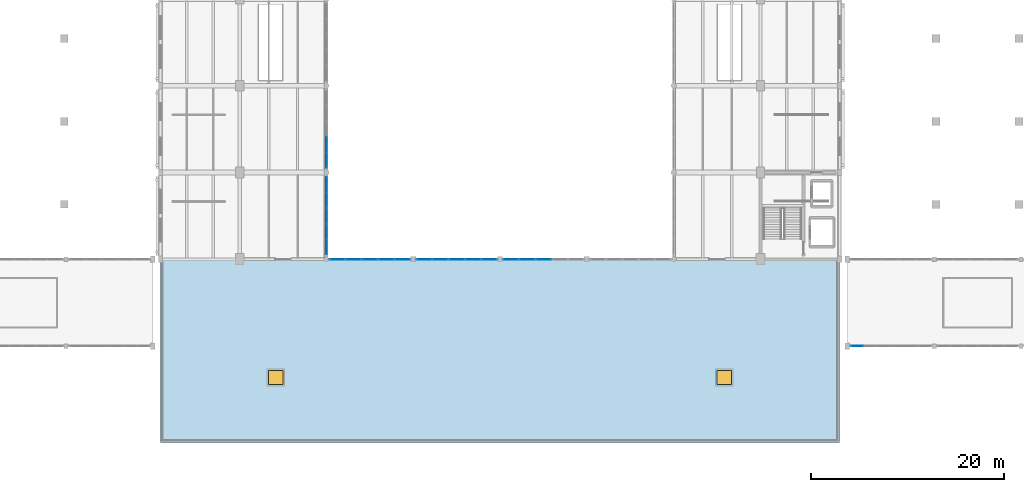
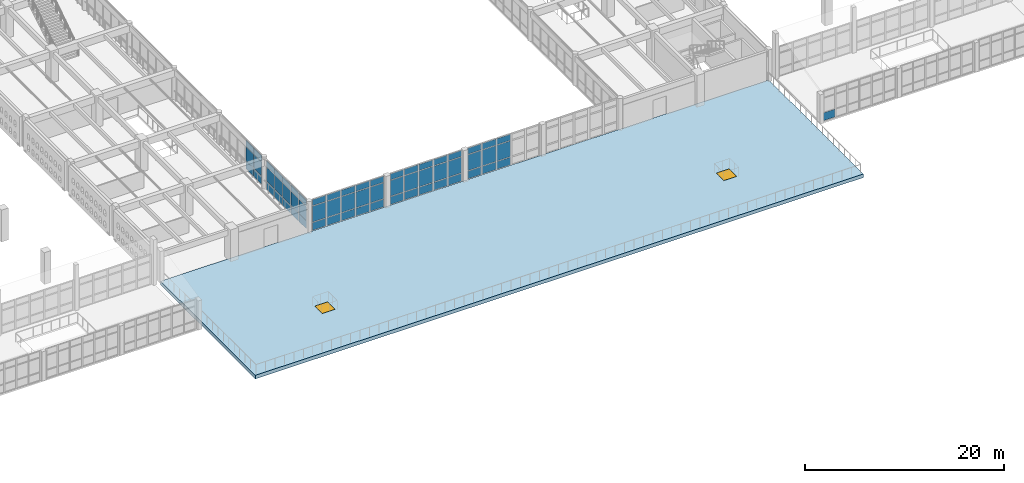
# One storey, part 109 of 156: 61 plates, 2 windows, 1 slab, 2 openings, 6 elements without a shape of their own.
"""IFC4 building model written with IfcOpenShell, lengths in metres."""

from ifc_helpers import new_model, si_unit, direction, frame, origin, origin_2d, place, context, subcontext, project, spatial, polyline, rectangle, outline, extrude, material, layer, layer_set, type_object, element, fill, aggregate, save


model = new_model("IFC4")

# Units and contexts
model_context = context("Model", 3, precision=1e-05, world=origin(), true_north=direction((0.0, 1.0)))
body_context = subcontext(model_context, "Body", "Model", "MODEL_VIEW")
ifc_project = project(units=[si_unit("LENGTHUNIT", "METRE"), si_unit("AREAUNIT", "SQUARE_METRE"), si_unit("VOLUMEUNIT", "CUBIC_METRE"), si_unit("PLANEANGLEUNIT", "RADIAN"), si_unit("MASSUNIT", "GRAM", prefix="KILO")], contexts=[model_context])

# Site, building, storey
site_placement = place(None, origin())
site = spatial("IfcSite", under=ifc_project, at=site_placement, CompositionType="ELEMENT")
building_placement = place(site_placement, origin())
building = spatial("IfcBuilding", under=site, at=building_placement, Name="Ornek Quay Market", CompositionType="ELEMENT")
storey_placement = place(building_placement, frame((0.0, 0.0, 4.5)))
storey = spatial("IfcBuildingStorey", under=building, at=storey_placement, Name="L01", CompositionType="ELEMENT", Elevation=4.5)

# Curtain wall, plates
ifc_material_1 = material(Name="Anodised bronze aluminium and triple low-e glass", Category="aluminium")
ifc_layer_1 = layer(ifc_material_1, 0.139892578125, Name="Anodised bronze aluminium and triple low-e glass", Category="aluminium")
ifc_layer_set_1 = layer_set([ifc_layer_1], Name="Anodised bronze aluminium and triple low-e glass")
curtain_wall_type_1 = type_object("IfcCurtainWallType", Name="CW-GALLERY-INT", PredefinedType="USERDEFINED", material=ifc_layer_set_1)
curtain_wall_1_placement = place(storey_placement, origin())
curtain_wall_1 = element("IfcCurtainWall", 1, at=curtain_wall_1_placement, inside=storey, type_object=curtain_wall_type_1, Name="Curtain wall CW-097", ObjectType="CURTAIN WALL", PredefinedType="USERDEFINED")
ifc_material_2 = material(Name="Toughened laminated acoustic glass", Category="glass")
ifc_layer_2 = layer(ifc_material_2, 0.01611328125, Name="Toughened laminated acoustic glass", Category="glass")
ifc_layer_set_2 = layer_set([ifc_layer_2], Name="Toughened laminated acoustic glass")
plate_type_1 = type_object("IfcPlateType", Name="PL-CW-INT-16", PredefinedType="CURTAIN_PANEL", material=ifc_layer_set_2)
plate_1_placement = place(storey_placement, frame((72.0, 30.27490234375, 0.06005859375), z_axis=(0.0, 0.0, 1.0), x_axis=(0.0, 1.0, 0.0)))
plate_1 = element("IfcPlate", 2, at=plate_1_placement, type_object=plate_type_1, Name="CW-097 panel 1.1", PredefinedType="CURTAIN_PANEL", context=body_context, shape_type="SweptSolid", body=[
    extrude(rectangle(XDim=1.530029296875, YDim=0.01611328125, at=origin_2d()), origin(), (0.0, 0.0, 1.0), 0.9599609375),
])
plate_2_placement = place(storey_placement, frame((72.0, 30.27490234375, 1.080078125), z_axis=(0.0, 0.0, 1.0), x_axis=(0.0, 1.0, 0.0)))
plate_2 = element("IfcPlate", 3, at=plate_2_placement, type_object=plate_type_1, Name="CW-097 panel 1.2", PredefinedType="CURTAIN_PANEL", context=body_context, shape_type="SweptSolid", body=[
    extrude(rectangle(XDim=1.530029296875, YDim=0.01611328125, at=origin_2d()), origin(), (0.0, 0.0, 1.0), 1.699951171875),
])
plate_3_placement = place(storey_placement, frame((72.0, 30.27490234375, 2.83984375), z_axis=(0.0, 0.0, 1.0), x_axis=(0.0, 1.0, 0.0)))
plate_3 = element("IfcPlate", 4, at=plate_3_placement, type_object=plate_type_1, Name="CW-097 panel 1.3", PredefinedType="CURTAIN_PANEL", context=body_context, shape_type="SweptSolid", body=[
    extrude(rectangle(XDim=1.530029296875, YDim=0.01611328125, at=origin_2d()), origin(), (0.0, 0.0, 1.0), 0.760009765625),
])
plate_4_placement = place(storey_placement, frame((72.0, 31.8798828125, 0.06005859375), z_axis=(0.0, 0.0, 1.0), x_axis=(0.0, 1.0, 0.0)))
plate_4 = element("IfcPlate", 5, at=plate_4_placement, type_object=plate_type_1, Name="CW-097 panel 2.1", PredefinedType="CURTAIN_PANEL", context=body_context, shape_type="SweptSolid", body=[
    extrude(rectangle(XDim=1.56005859375, YDim=0.01611328125, at=origin_2d()), origin(), (0.0, 0.0, 1.0), 0.9599609375),
])
plate_5_placement = place(storey_placement, frame((72.0, 31.8798828125, 1.080078125), z_axis=(0.0, 0.0, 1.0), x_axis=(0.0, 1.0, 0.0)))
plate_5 = element("IfcPlate", 6, at=plate_5_placement, type_object=plate_type_1, Name="CW-097 panel 2.2", PredefinedType="CURTAIN_PANEL", context=body_context, shape_type="SweptSolid", body=[
    extrude(rectangle(XDim=1.56005859375, YDim=0.01611328125, at=origin_2d()), origin(), (0.0, 0.0, 1.0), 1.699951171875),
])
plate_6_placement = place(storey_placement, frame((72.0, 31.8798828125, 2.83984375), z_axis=(0.0, 0.0, 1.0), x_axis=(0.0, 1.0, 0.0)))
plate_6 = element("IfcPlate", 7, at=plate_6_placement, type_object=plate_type_1, Name="CW-097 panel 2.3", PredefinedType="CURTAIN_PANEL", context=body_context, shape_type="SweptSolid", body=[
    extrude(rectangle(XDim=1.56005859375, YDim=0.01611328125, at=origin_2d()), origin(), (0.0, 0.0, 1.0), 0.760009765625),
])
plate_7_placement = place(storey_placement, frame((72.0, 33.5, 0.06005859375), z_axis=(0.0, 0.0, 1.0), x_axis=(0.0, 1.0, 0.0)))
plate_7 = element("IfcPlate", 8, at=plate_7_placement, type_object=plate_type_1, Name="CW-097 panel 3.1", PredefinedType="CURTAIN_PANEL", context=body_context, shape_type="SweptSolid", body=[
    extrude(rectangle(XDim=1.56005859375, YDim=0.01611328125, at=origin_2d()), origin(), (0.0, 0.0, 1.0), 0.9599609375),
])
plate_8_placement = place(storey_placement, frame((72.0, 33.5, 1.080078125), z_axis=(0.0, 0.0, 1.0), x_axis=(0.0, 1.0, 0.0)))
plate_8 = element("IfcPlate", 9, at=plate_8_placement, type_object=plate_type_1, Name="CW-097 panel 3.2", PredefinedType="CURTAIN_PANEL", context=body_context, shape_type="SweptSolid", body=[
    extrude(rectangle(XDim=1.56005859375, YDim=0.01611328125, at=origin_2d()), origin(), (0.0, 0.0, 1.0), 1.699951171875),
])
plate_9_placement = place(storey_placement, frame((72.0, 33.5, 2.83984375), z_axis=(0.0, 0.0, 1.0), x_axis=(0.0, 1.0, 0.0)))
plate_9 = element("IfcPlate", 10, at=plate_9_placement, type_object=plate_type_1, Name="CW-097 panel 3.3", PredefinedType="CURTAIN_PANEL", context=body_context, shape_type="SweptSolid", body=[
    extrude(rectangle(XDim=1.56005859375, YDim=0.01611328125, at=origin_2d()), origin(), (0.0, 0.0, 1.0), 0.760009765625),
])
plate_10_placement = place(storey_placement, frame((72.0, 35.1201171875, 0.06005859375), z_axis=(0.0, 0.0, 1.0), x_axis=(0.0, 1.0, 0.0)))
plate_10 = element("IfcPlate", 11, at=plate_10_placement, type_object=plate_type_1, Name="CW-097 panel 4.1", PredefinedType="CURTAIN_PANEL", context=body_context, shape_type="SweptSolid", body=[
    extrude(rectangle(XDim=1.56005859375, YDim=0.01611328125, at=origin_2d()), origin(), (0.0, 0.0, 1.0), 0.9599609375),
])
plate_11_placement = place(storey_placement, frame((72.0, 35.1201171875, 1.080078125), z_axis=(0.0, 0.0, 1.0), x_axis=(0.0, 1.0, 0.0)))
plate_11 = element("IfcPlate", 12, at=plate_11_placement, type_object=plate_type_1, Name="CW-097 panel 4.2", PredefinedType="CURTAIN_PANEL", context=body_context, shape_type="SweptSolid", body=[
    extrude(rectangle(XDim=1.56005859375, YDim=0.01611328125, at=origin_2d()), origin(), (0.0, 0.0, 1.0), 1.699951171875),
])
plate_12_placement = place(storey_placement, frame((72.0, 35.1201171875, 2.83984375), z_axis=(0.0, 0.0, 1.0), x_axis=(0.0, 1.0, 0.0)))
plate_12 = element("IfcPlate", 13, at=plate_12_placement, type_object=plate_type_1, Name="CW-097 panel 4.3", PredefinedType="CURTAIN_PANEL", context=body_context, shape_type="SweptSolid", body=[
    extrude(rectangle(XDim=1.56005859375, YDim=0.01611328125, at=origin_2d()), origin(), (0.0, 0.0, 1.0), 0.760009765625),
])
plate_13_placement = place(storey_placement, frame((72.0, 36.72509765625, 0.06005859375), z_axis=(0.0, 0.0, 1.0), x_axis=(0.0, 1.0, 0.0)))
plate_13 = element("IfcPlate", 14, at=plate_13_placement, type_object=plate_type_1, Name="CW-097 panel 5.1", PredefinedType="CURTAIN_PANEL", context=body_context, shape_type="SweptSolid", body=[
    extrude(rectangle(XDim=1.530029296875, YDim=0.01611328125, at=origin_2d()), origin(), (0.0, 0.0, 1.0), 0.9599609375),
])
plate_14_placement = place(storey_placement, frame((72.0, 36.72509765625, 1.080078125), z_axis=(0.0, 0.0, 1.0), x_axis=(0.0, 1.0, 0.0)))
plate_14 = element("IfcPlate", 15, at=plate_14_placement, type_object=plate_type_1, Name="CW-097 panel 5.2", PredefinedType="CURTAIN_PANEL", context=body_context, shape_type="SweptSolid", body=[
    extrude(rectangle(XDim=1.530029296875, YDim=0.01611328125, at=origin_2d()), origin(), (0.0, 0.0, 1.0), 1.699951171875),
])
plate_15_placement = place(storey_placement, frame((72.0, 36.72509765625, 2.83984375), z_axis=(0.0, 0.0, 1.0), x_axis=(0.0, 1.0, 0.0)))
plate_15 = element("IfcPlate", 16, at=plate_15_placement, type_object=plate_type_1, Name="CW-097 panel 5.3", PredefinedType="CURTAIN_PANEL", context=body_context, shape_type="SweptSolid", body=[
    extrude(rectangle(XDim=1.530029296875, YDim=0.01611328125, at=origin_2d()), origin(), (0.0, 0.0, 1.0), 0.760009765625),
])
aggregate(curtain_wall_1, [plate_1, plate_2, plate_3, plate_4, plate_5, plate_6, plate_7, plate_8, plate_9, plate_10, plate_11, plate_12, plate_13, plate_14, plate_15])

curtain_wall_2_placement = place(storey_placement, origin())
curtain_wall_2 = element("IfcCurtainWall", 17, at=curtain_wall_2_placement, inside=storey, type_object=curtain_wall_type_1, Name="Curtain wall CW-098", ObjectType="CURTAIN WALL", PredefinedType="USERDEFINED")
plate_16_placement = place(storey_placement, frame((72.0, 39.27490234375, 0.06005859375), z_axis=(0.0, 0.0, 1.0), x_axis=(0.0, 1.0, 0.0)))
plate_16 = element("IfcPlate", 18, at=plate_16_placement, type_object=plate_type_1, Name="CW-098 panel 1.1", PredefinedType="CURTAIN_PANEL", context=body_context, shape_type="SweptSolid", body=[
    extrude(rectangle(XDim=1.530029296875, YDim=0.01611328125, at=origin_2d()), origin(), (0.0, 0.0, 1.0), 0.9599609375),
])
plate_17_placement = place(storey_placement, frame((72.0, 39.27490234375, 1.080078125), z_axis=(0.0, 0.0, 1.0), x_axis=(0.0, 1.0, 0.0)))
plate_17 = element("IfcPlate", 19, at=plate_17_placement, type_object=plate_type_1, Name="CW-098 panel 1.2", PredefinedType="CURTAIN_PANEL", context=body_context, shape_type="SweptSolid", body=[
    extrude(rectangle(XDim=1.530029296875, YDim=0.01611328125, at=origin_2d()), origin(), (0.0, 0.0, 1.0), 1.699951171875),
])
plate_18_placement = place(storey_placement, frame((72.0, 39.27490234375, 2.83984375), z_axis=(0.0, 0.0, 1.0), x_axis=(0.0, 1.0, 0.0)))
plate_18 = element("IfcPlate", 20, at=plate_18_placement, type_object=plate_type_1, Name="CW-098 panel 1.3", PredefinedType="CURTAIN_PANEL", context=body_context, shape_type="SweptSolid", body=[
    extrude(rectangle(XDim=1.530029296875, YDim=0.01611328125, at=origin_2d()), origin(), (0.0, 0.0, 1.0), 0.760009765625),
])
plate_19_placement = place(storey_placement, frame((72.0, 40.8798828125, 0.06005859375), z_axis=(0.0, 0.0, 1.0), x_axis=(0.0, 1.0, 0.0)))
plate_19 = element("IfcPlate", 21, at=plate_19_placement, type_object=plate_type_1, Name="CW-098 panel 2.1", PredefinedType="CURTAIN_PANEL", context=body_context, shape_type="SweptSolid", body=[
    extrude(rectangle(XDim=1.56005859375, YDim=0.01611328125, at=origin_2d()), origin(), (0.0, 0.0, 1.0), 0.9599609375),
])
plate_20_placement = place(storey_placement, frame((72.0, 40.8798828125, 1.080078125), z_axis=(0.0, 0.0, 1.0), x_axis=(0.0, 1.0, 0.0)))
plate_20 = element("IfcPlate", 22, at=plate_20_placement, type_object=plate_type_1, Name="CW-098 panel 2.2", PredefinedType="CURTAIN_PANEL", context=body_context, shape_type="SweptSolid", body=[
    extrude(rectangle(XDim=1.56005859375, YDim=0.01611328125, at=origin_2d()), origin(), (0.0, 0.0, 1.0), 1.699951171875),
])
plate_21_placement = place(storey_placement, frame((72.0, 40.8798828125, 2.83984375), z_axis=(0.0, 0.0, 1.0), x_axis=(0.0, 1.0, 0.0)))
plate_21 = element("IfcPlate", 23, at=plate_21_placement, type_object=plate_type_1, Name="CW-098 panel 2.3", PredefinedType="CURTAIN_PANEL", context=body_context, shape_type="SweptSolid", body=[
    extrude(rectangle(XDim=1.56005859375, YDim=0.01611328125, at=origin_2d()), origin(), (0.0, 0.0, 1.0), 0.760009765625),
])
aggregate(curtain_wall_2, [plate_16, plate_17, plate_18, plate_19, plate_20, plate_21])

# Curtain wall, plate
ifc_layer_3 = layer(ifc_material_1, 0.179931640625, Name="Anodised bronze aluminium and triple low-e glass", Category="aluminium")
ifc_layer_set_3 = layer_set([ifc_layer_3], Name="Anodised bronze aluminium and triple low-e glass")
curtain_wall_type_2 = type_object("IfcCurtainWallType", Name="CW-CONC-MOD1500", PredefinedType="USERDEFINED", material=ifc_layer_set_3)
curtain_wall_3_placement = place(storey_placement, origin())
curtain_wall_3 = element("IfcCurtainWall", 24, at=curtain_wall_3_placement, inside=storey, type_object=curtain_wall_type_2, Name="Curtain wall CW-036", ObjectType="CURTAIN WALL", PredefinedType="USERDEFINED")
ifc_material_3 = material(Name="Triple insulated low-e glass", Category="glass")
ifc_layer_4 = layer(ifc_material_3, 0.035888671875, Name="Triple insulated low-e glass", Category="glass")
ifc_layer_set_4 = layer_set([ifc_layer_4], Name="Triple insulated low-e glass")
plate_type_2 = type_object("IfcPlateType", Name="PL-CW-TRIPLE-36", PredefinedType="CURTAIN_PANEL", material=ifc_layer_set_4)
plate_22_placement = place(storey_placement, frame((127.014892578125, 20.0, 0.06005859375), z_axis=(0.0, 0.0, 1.0), x_axis=(1.0, 0.0, 0.0)))
plate_22 = element("IfcPlate", 25, at=plate_22_placement, type_object=plate_type_2, Name="CW-036 panel 1.1", PredefinedType="CURTAIN_PANEL", context=body_context, shape_type="SweptSolid", body=[
    extrude(rectangle(XDim=1.31005859375, YDim=0.035888671875, at=origin_2d()), origin(), (0.0, 0.0, 1.0), 0.9599609375),
])
aggregate(curtain_wall_3, [plate_22])

# Curtain wall, plates
ifc_layer_5 = layer(ifc_material_1, 0.239990234375, Name="Anodised bronze aluminium and triple low-e glass", Category="aluminium")
ifc_layer_set_5 = layer_set([ifc_layer_5], Name="Anodised bronze aluminium and triple low-e glass")
curtain_wall_type_3 = type_object("IfcCurtainWallType", Name="CW-GAB-MOD1800", PredefinedType="USERDEFINED", material=ifc_layer_set_5)
curtain_wall_4_placement = place(storey_placement, origin())
curtain_wall_4 = element("IfcCurtainWall", 26, at=curtain_wall_4_placement, inside=storey, type_object=curtain_wall_type_3, Name="Curtain wall CW-065", ObjectType="CURTAIN WALL", PredefinedType="USERDEFINED")
ifc_layer_6 = layer(ifc_material_3, 0.0419921875, Name="Triple insulated low-e glass", Category="glass")
ifc_layer_set_6 = layer_set([ifc_layer_6], Name="Triple insulated low-e glass")
plate_type_3 = type_object("IfcPlateType", Name="PL-CW-TRIPLE-42", PredefinedType="CURTAIN_PANEL", material=ifc_layer_set_6)
plate_23_placement = place(storey_placement, frame((73.14404296875, 29.0, 0.074951171875), z_axis=(0.0, 0.0, 1.0), x_axis=(1.0, 0.0, 0.0)))
plate_23 = element("IfcPlate", 27, at=plate_23_placement, type_object=plate_type_3, Name="CW-065 panel 1.1", PredefinedType="CURTAIN_PANEL", context=body_context, shape_type="SweptSolid", body=[
    extrude(rectangle(XDim=1.568115234375, YDim=0.0419921875, at=origin_2d()), origin(), (0.0, 0.0, 1.0), 0.9375),
])
plate_24_placement = place(storey_placement, frame((73.14404296875, 29.0, 1.08740234375), z_axis=(0.0, 0.0, 1.0), x_axis=(1.0, 0.0, 0.0)))
plate_24 = element("IfcPlate", 28, at=plate_24_placement, type_object=plate_type_3, Name="CW-065 panel 1.2", PredefinedType="CURTAIN_PANEL", context=body_context, shape_type="SweptSolid", body=[
    extrude(rectangle(XDim=1.568115234375, YDim=0.0419921875, at=origin_2d()), origin(), (0.0, 0.0, 1.0), 1.925048828125),
])
plate_25_placement = place(storey_placement, frame((73.14404296875, 29.0, 3.08740234375), z_axis=(0.0, 0.0, 1.0), x_axis=(1.0, 0.0, 0.0)))
plate_25 = element("IfcPlate", 29, at=plate_25_placement, type_object=plate_type_3, Name="CW-065 panel 1.3", PredefinedType="CURTAIN_PANEL", context=body_context, shape_type="SweptSolid", body=[
    extrude(rectangle(XDim=1.568115234375, YDim=0.0419921875, at=origin_2d()), origin(), (0.0, 0.0, 1.0), 0.737548828125),
])
plate_26_placement = place(storey_placement, frame((74.81201171875, 29.0, 0.074951171875), z_axis=(0.0, 0.0, 1.0), x_axis=(1.0, 0.0, 0.0)))
plate_26 = element("IfcPlate", 30, at=plate_26_placement, type_object=plate_type_3, Name="CW-065 panel 2.1", PredefinedType="CURTAIN_PANEL", context=body_context, shape_type="SweptSolid", body=[
    extrude(rectangle(XDim=1.60791015625, YDim=0.0419921875, at=origin_2d()), origin(), (0.0, 0.0, 1.0), 0.9375),
])
plate_27_placement = place(storey_placement, frame((74.81201171875, 29.0, 1.08740234375), z_axis=(0.0, 0.0, 1.0), x_axis=(1.0, 0.0, 0.0)))
plate_27 = element("IfcPlate", 31, at=plate_27_placement, type_object=plate_type_3, Name="CW-065 panel 2.2", PredefinedType="CURTAIN_PANEL", context=body_context, shape_type="SweptSolid", body=[
    extrude(rectangle(XDim=1.60791015625, YDim=0.0419921875, at=origin_2d()), origin(), (0.0, 0.0, 1.0), 1.925048828125),
])
plate_28_placement = place(storey_placement, frame((74.81201171875, 29.0, 3.08740234375), z_axis=(0.0, 0.0, 1.0), x_axis=(1.0, 0.0, 0.0)))
plate_28 = element("IfcPlate", 32, at=plate_28_placement, type_object=plate_type_3, Name="CW-065 panel 2.3", PredefinedType="CURTAIN_PANEL", context=body_context, shape_type="SweptSolid", body=[
    extrude(rectangle(XDim=1.60791015625, YDim=0.0419921875, at=origin_2d()), origin(), (0.0, 0.0, 1.0), 0.737548828125),
])
plate_29_placement = place(storey_placement, frame((76.5, 29.0, 0.074951171875), z_axis=(0.0, 0.0, 1.0), x_axis=(1.0, 0.0, 0.0)))
plate_29 = element("IfcPlate", 33, at=plate_29_placement, type_object=plate_type_3, Name="CW-065 panel 3.1", PredefinedType="CURTAIN_PANEL", context=body_context, shape_type="SweptSolid", body=[
    extrude(rectangle(XDim=1.60791015625, YDim=0.0419921875, at=origin_2d()), origin(), (0.0, 0.0, 1.0), 0.9375),
])
plate_30_placement = place(storey_placement, frame((76.5, 29.0, 1.08740234375), z_axis=(0.0, 0.0, 1.0), x_axis=(1.0, 0.0, 0.0)))
plate_30 = element("IfcPlate", 34, at=plate_30_placement, type_object=plate_type_3, Name="CW-065 panel 3.2", PredefinedType="CURTAIN_PANEL", context=body_context, shape_type="SweptSolid", body=[
    extrude(rectangle(XDim=1.60791015625, YDim=0.0419921875, at=origin_2d()), origin(), (0.0, 0.0, 1.0), 1.925048828125),
])
plate_31_placement = place(storey_placement, frame((76.5, 29.0, 3.08740234375), z_axis=(0.0, 0.0, 1.0), x_axis=(1.0, 0.0, 0.0)))
plate_31 = element("IfcPlate", 35, at=plate_31_placement, type_object=plate_type_3, Name="CW-065 panel 3.3", PredefinedType="CURTAIN_PANEL", context=body_context, shape_type="SweptSolid", body=[
    extrude(rectangle(XDim=1.60791015625, YDim=0.0419921875, at=origin_2d()), origin(), (0.0, 0.0, 1.0), 0.737548828125),
])
plate_32_placement = place(storey_placement, frame((78.18798828125, 29.0, 0.074951171875), z_axis=(0.0, 0.0, 1.0), x_axis=(1.0, 0.0, 0.0)))
plate_32 = element("IfcPlate", 36, at=plate_32_placement, type_object=plate_type_3, Name="CW-065 panel 4.1", PredefinedType="CURTAIN_PANEL", context=body_context, shape_type="SweptSolid", body=[
    extrude(rectangle(XDim=1.60791015625, YDim=0.0419921875, at=origin_2d()), origin(), (0.0, 0.0, 1.0), 0.9375),
])
plate_33_placement = place(storey_placement, frame((78.18798828125, 29.0, 1.08740234375), z_axis=(0.0, 0.0, 1.0), x_axis=(1.0, 0.0, 0.0)))
plate_33 = element("IfcPlate", 37, at=plate_33_placement, type_object=plate_type_3, Name="CW-065 panel 4.2", PredefinedType="CURTAIN_PANEL", context=body_context, shape_type="SweptSolid", body=[
    extrude(rectangle(XDim=1.60791015625, YDim=0.0419921875, at=origin_2d()), origin(), (0.0, 0.0, 1.0), 1.925048828125),
])
plate_34_placement = place(storey_placement, frame((78.18798828125, 29.0, 3.08740234375), z_axis=(0.0, 0.0, 1.0), x_axis=(1.0, 0.0, 0.0)))
plate_34 = element("IfcPlate", 38, at=plate_34_placement, type_object=plate_type_3, Name="CW-065 panel 4.3", PredefinedType="CURTAIN_PANEL", context=body_context, shape_type="SweptSolid", body=[
    extrude(rectangle(XDim=1.60791015625, YDim=0.0419921875, at=origin_2d()), origin(), (0.0, 0.0, 1.0), 0.737548828125),
])
plate_35_placement = place(storey_placement, frame((79.85595703125, 29.0, 0.074951171875), z_axis=(0.0, 0.0, 1.0), x_axis=(1.0, 0.0, 0.0)))
plate_35 = element("IfcPlate", 39, at=plate_35_placement, type_object=plate_type_3, Name="CW-065 panel 5.1", PredefinedType="CURTAIN_PANEL", context=body_context, shape_type="SweptSolid", body=[
    extrude(rectangle(XDim=1.568115234375, YDim=0.0419921875, at=origin_2d()), origin(), (0.0, 0.0, 1.0), 0.9375),
])
plate_36_placement = place(storey_placement, frame((79.85595703125, 29.0, 1.08740234375), z_axis=(0.0, 0.0, 1.0), x_axis=(1.0, 0.0, 0.0)))
plate_36 = element("IfcPlate", 40, at=plate_36_placement, type_object=plate_type_3, Name="CW-065 panel 5.2", PredefinedType="CURTAIN_PANEL", context=body_context, shape_type="SweptSolid", body=[
    extrude(rectangle(XDim=1.568115234375, YDim=0.0419921875, at=origin_2d()), origin(), (0.0, 0.0, 1.0), 1.925048828125),
])
plate_37_placement = place(storey_placement, frame((79.85595703125, 29.0, 3.08740234375), z_axis=(0.0, 0.0, 1.0), x_axis=(1.0, 0.0, 0.0)))
plate_37 = element("IfcPlate", 41, at=plate_37_placement, type_object=plate_type_3, Name="CW-065 panel 5.3", PredefinedType="CURTAIN_PANEL", context=body_context, shape_type="SweptSolid", body=[
    extrude(rectangle(XDim=1.568115234375, YDim=0.0419921875, at=origin_2d()), origin(), (0.0, 0.0, 1.0), 0.737548828125),
])
aggregate(curtain_wall_4, [plate_23, plate_24, plate_25, plate_26, plate_27, plate_28, plate_29, plate_30, plate_31, plate_32, plate_33, plate_34, plate_35, plate_36, plate_37])

curtain_wall_5_placement = place(storey_placement, origin())
curtain_wall_5 = element("IfcCurtainWall", 42, at=curtain_wall_5_placement, inside=storey, type_object=curtain_wall_type_3, Name="Curtain wall CW-068", ObjectType="CURTAIN WALL", PredefinedType="USERDEFINED")
plate_38_placement = place(storey_placement, frame((82.14404296875, 29.0, 0.074951171875), z_axis=(0.0, 0.0, 1.0), x_axis=(1.0, 0.0, 0.0)))
plate_38 = element("IfcPlate", 43, at=plate_38_placement, type_object=plate_type_3, Name="CW-068 panel 1.1", PredefinedType="CURTAIN_PANEL", context=body_context, shape_type="SweptSolid", body=[
    extrude(rectangle(XDim=1.568115234375, YDim=0.0419921875, at=origin_2d()), origin(), (0.0, 0.0, 1.0), 0.9375),
])
plate_39_placement = place(storey_placement, frame((82.14404296875, 29.0, 1.08740234375), z_axis=(0.0, 0.0, 1.0), x_axis=(1.0, 0.0, 0.0)))
plate_39 = element("IfcPlate", 44, at=plate_39_placement, type_object=plate_type_3, Name="CW-068 panel 1.2", PredefinedType="CURTAIN_PANEL", context=body_context, shape_type="SweptSolid", body=[
    extrude(rectangle(XDim=1.568115234375, YDim=0.0419921875, at=origin_2d()), origin(), (0.0, 0.0, 1.0), 1.925048828125),
])
plate_40_placement = place(storey_placement, frame((82.14404296875, 29.0, 3.08740234375), z_axis=(0.0, 0.0, 1.0), x_axis=(1.0, 0.0, 0.0)))
plate_40 = element("IfcPlate", 45, at=plate_40_placement, type_object=plate_type_3, Name="CW-068 panel 1.3", PredefinedType="CURTAIN_PANEL", context=body_context, shape_type="SweptSolid", body=[
    extrude(rectangle(XDim=1.568115234375, YDim=0.0419921875, at=origin_2d()), origin(), (0.0, 0.0, 1.0), 0.737548828125),
])
plate_41_placement = place(storey_placement, frame((83.81201171875, 29.0, 0.074951171875), z_axis=(0.0, 0.0, 1.0), x_axis=(1.0, 0.0, 0.0)))
plate_41 = element("IfcPlate", 46, at=plate_41_placement, type_object=plate_type_3, Name="CW-068 panel 2.1", PredefinedType="CURTAIN_PANEL", context=body_context, shape_type="SweptSolid", body=[
    extrude(rectangle(XDim=1.60791015625, YDim=0.0419921875, at=origin_2d()), origin(), (0.0, 0.0, 1.0), 0.9375),
])
plate_42_placement = place(storey_placement, frame((83.81201171875, 29.0, 1.08740234375), z_axis=(0.0, 0.0, 1.0), x_axis=(1.0, 0.0, 0.0)))
plate_42 = element("IfcPlate", 47, at=plate_42_placement, type_object=plate_type_3, Name="CW-068 panel 2.2", PredefinedType="CURTAIN_PANEL", context=body_context, shape_type="SweptSolid", body=[
    extrude(rectangle(XDim=1.60791015625, YDim=0.0419921875, at=origin_2d()), origin(), (0.0, 0.0, 1.0), 1.925048828125),
])
plate_43_placement = place(storey_placement, frame((83.81201171875, 29.0, 3.08740234375), z_axis=(0.0, 0.0, 1.0), x_axis=(1.0, 0.0, 0.0)))
plate_43 = element("IfcPlate", 48, at=plate_43_placement, type_object=plate_type_3, Name="CW-068 panel 2.3", PredefinedType="CURTAIN_PANEL", context=body_context, shape_type="SweptSolid", body=[
    extrude(rectangle(XDim=1.60791015625, YDim=0.0419921875, at=origin_2d()), origin(), (0.0, 0.0, 1.0), 0.737548828125),
])
plate_44_placement = place(storey_placement, frame((85.5, 29.0, 0.074951171875), z_axis=(0.0, 0.0, 1.0), x_axis=(1.0, 0.0, 0.0)))
plate_44 = element("IfcPlate", 49, at=plate_44_placement, type_object=plate_type_3, Name="CW-068 panel 3.1", PredefinedType="CURTAIN_PANEL", context=body_context, shape_type="SweptSolid", body=[
    extrude(rectangle(XDim=1.60791015625, YDim=0.0419921875, at=origin_2d()), origin(), (0.0, 0.0, 1.0), 0.9375),
])
plate_45_placement = place(storey_placement, frame((85.5, 29.0, 1.08740234375), z_axis=(0.0, 0.0, 1.0), x_axis=(1.0, 0.0, 0.0)))
plate_45 = element("IfcPlate", 50, at=plate_45_placement, type_object=plate_type_3, Name="CW-068 panel 3.2", PredefinedType="CURTAIN_PANEL", context=body_context, shape_type="SweptSolid", body=[
    extrude(rectangle(XDim=1.60791015625, YDim=0.0419921875, at=origin_2d()), origin(), (0.0, 0.0, 1.0), 1.925048828125),
])
plate_46_placement = place(storey_placement, frame((85.5, 29.0, 3.08740234375), z_axis=(0.0, 0.0, 1.0), x_axis=(1.0, 0.0, 0.0)))
plate_46 = element("IfcPlate", 51, at=plate_46_placement, type_object=plate_type_3, Name="CW-068 panel 3.3", PredefinedType="CURTAIN_PANEL", context=body_context, shape_type="SweptSolid", body=[
    extrude(rectangle(XDim=1.60791015625, YDim=0.0419921875, at=origin_2d()), origin(), (0.0, 0.0, 1.0), 0.737548828125),
])
plate_47_placement = place(storey_placement, frame((87.18798828125, 29.0, 0.074951171875), z_axis=(0.0, 0.0, 1.0), x_axis=(1.0, 0.0, 0.0)))
plate_47 = element("IfcPlate", 52, at=plate_47_placement, type_object=plate_type_3, Name="CW-068 panel 4.1", PredefinedType="CURTAIN_PANEL", context=body_context, shape_type="SweptSolid", body=[
    extrude(rectangle(XDim=1.60791015625, YDim=0.0419921875, at=origin_2d()), origin(), (0.0, 0.0, 1.0), 0.9375),
])
plate_48_placement = place(storey_placement, frame((87.18798828125, 29.0, 1.08740234375), z_axis=(0.0, 0.0, 1.0), x_axis=(1.0, 0.0, 0.0)))
plate_48 = element("IfcPlate", 53, at=plate_48_placement, type_object=plate_type_3, Name="CW-068 panel 4.2", PredefinedType="CURTAIN_PANEL", context=body_context, shape_type="SweptSolid", body=[
    extrude(rectangle(XDim=1.60791015625, YDim=0.0419921875, at=origin_2d()), origin(), (0.0, 0.0, 1.0), 1.925048828125),
])
plate_49_placement = place(storey_placement, frame((87.18798828125, 29.0, 3.08740234375), z_axis=(0.0, 0.0, 1.0), x_axis=(1.0, 0.0, 0.0)))
plate_49 = element("IfcPlate", 54, at=plate_49_placement, type_object=plate_type_3, Name="CW-068 panel 4.3", PredefinedType="CURTAIN_PANEL", context=body_context, shape_type="SweptSolid", body=[
    extrude(rectangle(XDim=1.60791015625, YDim=0.0419921875, at=origin_2d()), origin(), (0.0, 0.0, 1.0), 0.737548828125),
])
plate_50_placement = place(storey_placement, frame((88.85595703125, 29.0, 0.074951171875), z_axis=(0.0, 0.0, 1.0), x_axis=(1.0, 0.0, 0.0)))
plate_50 = element("IfcPlate", 55, at=plate_50_placement, type_object=plate_type_3, Name="CW-068 panel 5.1", PredefinedType="CURTAIN_PANEL", context=body_context, shape_type="SweptSolid", body=[
    extrude(rectangle(XDim=1.568115234375, YDim=0.0419921875, at=origin_2d()), origin(), (0.0, 0.0, 1.0), 0.9375),
])
plate_51_placement = place(storey_placement, frame((88.85595703125, 29.0, 1.08740234375), z_axis=(0.0, 0.0, 1.0), x_axis=(1.0, 0.0, 0.0)))
plate_51 = element("IfcPlate", 56, at=plate_51_placement, type_object=plate_type_3, Name="CW-068 panel 5.2", PredefinedType="CURTAIN_PANEL", context=body_context, shape_type="SweptSolid", body=[
    extrude(rectangle(XDim=1.568115234375, YDim=0.0419921875, at=origin_2d()), origin(), (0.0, 0.0, 1.0), 1.925048828125),
])
plate_52_placement = place(storey_placement, frame((88.85595703125, 29.0, 3.08740234375), z_axis=(0.0, 0.0, 1.0), x_axis=(1.0, 0.0, 0.0)))
plate_52 = element("IfcPlate", 57, at=plate_52_placement, type_object=plate_type_3, Name="CW-068 panel 5.3", PredefinedType="CURTAIN_PANEL", context=body_context, shape_type="SweptSolid", body=[
    extrude(rectangle(XDim=1.568115234375, YDim=0.0419921875, at=origin_2d()), origin(), (0.0, 0.0, 1.0), 0.737548828125),
])
aggregate(curtain_wall_5, [plate_38, plate_39, plate_40, plate_41, plate_42, plate_43, plate_44, plate_45, plate_46, plate_47, plate_48, plate_49, plate_50, plate_51, plate_52])

curtain_wall_6_placement = place(storey_placement, origin())
curtain_wall_6 = element("IfcCurtainWall", 58, at=curtain_wall_6_placement, inside=storey, type_object=curtain_wall_type_3, Name="Curtain wall CW-071", ObjectType="CURTAIN WALL", PredefinedType="USERDEFINED")
plate_53_placement = place(storey_placement, frame((91.14404296875, 29.0, 0.074951171875), z_axis=(0.0, 0.0, 1.0), x_axis=(1.0, 0.0, 0.0)))
plate_53 = element("IfcPlate", 59, at=plate_53_placement, type_object=plate_type_3, Name="CW-071 panel 1.1", PredefinedType="CURTAIN_PANEL", context=body_context, shape_type="SweptSolid", body=[
    extrude(rectangle(XDim=1.568115234375, YDim=0.0419921875, at=origin_2d()), origin(), (0.0, 0.0, 1.0), 0.9375),
])
plate_54_placement = place(storey_placement, frame((91.14404296875, 29.0, 1.08740234375), z_axis=(0.0, 0.0, 1.0), x_axis=(1.0, 0.0, 0.0)))
plate_54 = element("IfcPlate", 60, at=plate_54_placement, type_object=plate_type_3, Name="CW-071 panel 1.2", PredefinedType="CURTAIN_PANEL", context=body_context, shape_type="SweptSolid", body=[
    extrude(rectangle(XDim=1.568115234375, YDim=0.0419921875, at=origin_2d()), origin(), (0.0, 0.0, 1.0), 1.925048828125),
])
plate_55_placement = place(storey_placement, frame((91.14404296875, 29.0, 3.08740234375), z_axis=(0.0, 0.0, 1.0), x_axis=(1.0, 0.0, 0.0)))
plate_55 = element("IfcPlate", 61, at=plate_55_placement, type_object=plate_type_3, Name="CW-071 panel 1.3", PredefinedType="CURTAIN_PANEL", context=body_context, shape_type="SweptSolid", body=[
    extrude(rectangle(XDim=1.568115234375, YDim=0.0419921875, at=origin_2d()), origin(), (0.0, 0.0, 1.0), 0.737548828125),
])
plate_56_placement = place(storey_placement, frame((92.81201171875, 29.0, 0.074951171875), z_axis=(0.0, 0.0, 1.0), x_axis=(1.0, 0.0, 0.0)))
plate_56 = element("IfcPlate", 62, at=plate_56_placement, type_object=plate_type_3, Name="CW-071 panel 2.1", PredefinedType="CURTAIN_PANEL", context=body_context, shape_type="SweptSolid", body=[
    extrude(rectangle(XDim=1.60791015625, YDim=0.0419921875, at=origin_2d()), origin(), (0.0, 0.0, 1.0), 0.9375),
])
plate_57_placement = place(storey_placement, frame((92.81201171875, 29.0, 1.08740234375), z_axis=(0.0, 0.0, 1.0), x_axis=(1.0, 0.0, 0.0)))
plate_57 = element("IfcPlate", 63, at=plate_57_placement, type_object=plate_type_3, Name="CW-071 panel 2.2", PredefinedType="CURTAIN_PANEL", context=body_context, shape_type="SweptSolid", body=[
    extrude(rectangle(XDim=1.60791015625, YDim=0.0419921875, at=origin_2d()), origin(), (0.0, 0.0, 1.0), 1.925048828125),
])
plate_58_placement = place(storey_placement, frame((92.81201171875, 29.0, 3.08740234375), z_axis=(0.0, 0.0, 1.0), x_axis=(1.0, 0.0, 0.0)))
plate_58 = element("IfcPlate", 64, at=plate_58_placement, type_object=plate_type_3, Name="CW-071 panel 2.3", PredefinedType="CURTAIN_PANEL", context=body_context, shape_type="SweptSolid", body=[
    extrude(rectangle(XDim=1.60791015625, YDim=0.0419921875, at=origin_2d()), origin(), (0.0, 0.0, 1.0), 0.737548828125),
])
plate_59_placement = place(storey_placement, frame((94.5, 29.0, 0.074951171875), z_axis=(0.0, 0.0, 1.0), x_axis=(1.0, 0.0, 0.0)))
plate_59 = element("IfcPlate", 65, at=plate_59_placement, type_object=plate_type_3, Name="CW-071 panel 3.1", PredefinedType="CURTAIN_PANEL", context=body_context, shape_type="SweptSolid", body=[
    extrude(rectangle(XDim=1.60791015625, YDim=0.0419921875, at=origin_2d()), origin(), (0.0, 0.0, 1.0), 0.9375),
])
plate_60_placement = place(storey_placement, frame((94.5, 29.0, 1.08740234375), z_axis=(0.0, 0.0, 1.0), x_axis=(1.0, 0.0, 0.0)))
plate_60 = element("IfcPlate", 66, at=plate_60_placement, type_object=plate_type_3, Name="CW-071 panel 3.2", PredefinedType="CURTAIN_PANEL", context=body_context, shape_type="SweptSolid", body=[
    extrude(rectangle(XDim=1.60791015625, YDim=0.0419921875, at=origin_2d()), origin(), (0.0, 0.0, 1.0), 1.925048828125),
])
plate_61_placement = place(storey_placement, frame((94.5, 29.0, 3.08740234375), z_axis=(0.0, 0.0, 1.0), x_axis=(1.0, 0.0, 0.0)))
plate_61 = element("IfcPlate", 67, at=plate_61_placement, type_object=plate_type_3, Name="CW-071 panel 3.3", PredefinedType="CURTAIN_PANEL", context=body_context, shape_type="SweptSolid", body=[
    extrude(rectangle(XDim=1.60791015625, YDim=0.0419921875, at=origin_2d()), origin(), (0.0, 0.0, 1.0), 0.737548828125),
])
aggregate(curtain_wall_6, [plate_53, plate_54, plate_55, plate_56, plate_57, plate_58, plate_59, plate_60, plate_61])

# Slab, openings, windows
ifc_material_4 = material(Name="Concrete C40/50", Category="concrete")
ifc_layer_7 = layer(ifc_material_4, 0.43994140625, Name="Concrete C40/50", Category="concrete")
ifc_layer_set_7 = layer_set([ifc_layer_7], Name="Concrete C40/50")
slab_type = type_object("IfcSlabType", Name="SL-GRD-YARD-440", PredefinedType="ROOF", material=ifc_layer_set_7)
slab_placement = place(storey_placement, frame((0.0, 0.0, -0.43994140625)))
slab = element("IfcSlab", 68, at=slab_placement, inside=storey, type_object=slab_type, Name="Slab S-031 (L01)", PredefinedType="ROOF", context=body_context, shape_type="SweptSolid", body=[
    extrude(outline(polyline([(54.800048828125, 10.0), (125.199951171875, 10.0), (125.199951171875, 29.0), (54.800048828125, 29.0), (54.800048828125, 10.0)]), holes=[polyline([(67.5, 17.5), (67.5, 16.0), (66.0, 16.0), (66.0, 17.5), (67.5, 17.5)]), polyline([(114.0, 17.5), (114.0, 16.0), (112.5, 16.0), (112.5, 17.5), (114.0, 17.5)])]), origin(), (0.0, 0.0, 1.0), 0.43994140625),
])
opening_1_placement = place(slab_placement, frame((66.75, 16.75, -0.010009765625)))
opening_1 = element("IfcOpeningElement", 69, at=opening_1_placement, cuts=slab, Name="Opening LDM-01-13", PredefinedType="OPENING", context=body_context, shape_type="SweptSolid", body=[
    extrude(rectangle(XDim=1.5, YDim=1.5, at=origin_2d()), origin(), (0.0, 0.0, 1.0), 0.4599609375),
])
opening_2_placement = place(slab_placement, frame((113.25, 16.75, -0.010009765625)))
opening_2 = element("IfcOpeningElement", 70, at=opening_2_placement, cuts=slab, Name="Opening LDM-01-14", PredefinedType="OPENING", context=body_context, shape_type="SweptSolid", body=[
    extrude(rectangle(XDim=1.5, YDim=1.5, at=origin_2d()), origin(), (0.0, 0.0, 1.0), 0.4599609375),
])
ifc_material_5 = material(Name="Thermally broken bronze aluminium and triple low-e glass", Category="aluminium")
window_type = type_object("IfcWindowType", Name="WN-DOME-1500x1500", PartitioningType="SINGLE_PANEL", PredefinedType="LIGHTDOME", material=ifc_material_5)
window_1_placement = place(opening_1_placement, frame((0.0, 0.0, 0.39990234375)))
window_1 = element("IfcWindow", 71, at=window_1_placement, inside=storey, type_object=window_type, Name="Roof skylight LDM-01-13", OverallHeight=1.5, OverallWidth=1.5, PartitioningType="SINGLE_PANEL", PredefinedType="LIGHTDOME", context=body_context, shape_type="SweptSolid", body=[
    extrude(rectangle(XDim=1.5, YDim=1.5, at=origin_2d()), origin(), (0.0, 0.0, 1.0), 0.050048828125),
])
fill(opening_1, window_1)
window_2_placement = place(opening_2_placement, frame((0.0, 0.0, 0.39990234375)))
window_2 = element("IfcWindow", 72, at=window_2_placement, inside=storey, type_object=window_type, Name="Roof skylight LDM-01-14", OverallHeight=1.5, OverallWidth=1.5, PartitioningType="SINGLE_PANEL", PredefinedType="LIGHTDOME", context=body_context, shape_type="SweptSolid", body=[
    extrude(rectangle(XDim=1.5, YDim=1.5, at=origin_2d()), origin(), (0.0, 0.0, 1.0), 0.050048828125),
])
fill(opening_2, window_2)

save(model, "model.ifc")
